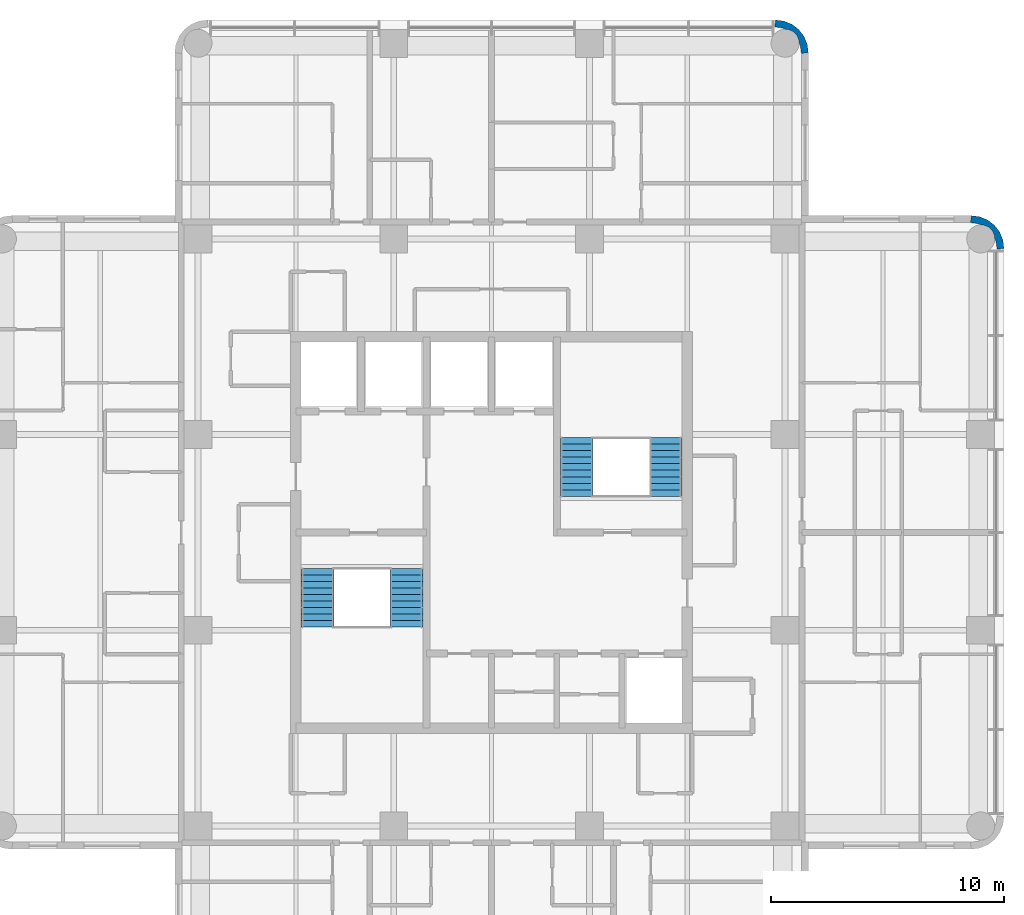
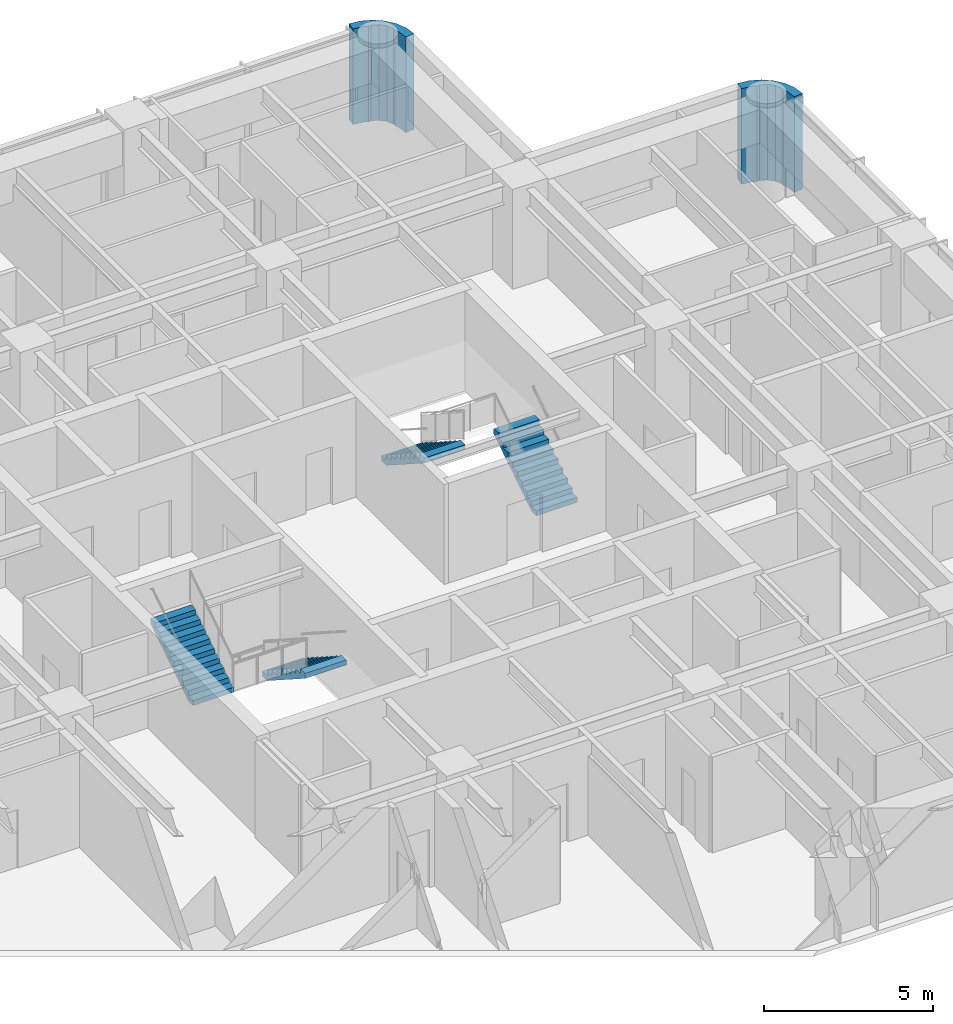
# One storey, part 9 of 10: 4 stair flights, 2 walls, 2 elements without a shape of their own.
"""IFC4 building model written with IfcOpenShell, lengths in metres."""

from ifc_helpers import new_model, si_unit, direction, frame, origin, place, context, subcontext, project, spatial, polyline, outline, extrude, material, layer, layer_set, type_object, element, aggregate, save


model = new_model("IFC4")

# Units and contexts
model_context = context("Model", 3, precision=1e-05, world=origin(), true_north=direction((0.0, 1.0)))
body_context = subcontext(model_context, "Body", "Model", "MODEL_VIEW")
ifc_project = project(units=[si_unit("LENGTHUNIT", "METRE"), si_unit("AREAUNIT", "SQUARE_METRE"), si_unit("VOLUMEUNIT", "CUBIC_METRE"), si_unit("PLANEANGLEUNIT", "RADIAN"), si_unit("MASSUNIT", "GRAM", prefix="KILO")], contexts=[model_context])

# Site, building, storey
site_placement = place(None, origin())
site = spatial("IfcSite", under=ifc_project, at=site_placement, CompositionType="ELEMENT")
building_placement = place(site_placement, origin())
building = spatial("IfcBuilding", under=site, at=building_placement, Name="Torre Alcanfor", CompositionType="ELEMENT")
storey_placement = place(building_placement, frame((0.0, 0.0, 275.699951171875)))
storey = spatial("IfcBuildingStorey", under=building, at=storey_placement, Name="L72", CompositionType="ELEMENT", Elevation=275.699951171875)

# Walls
ifc_material_1 = material(Name="Limestone cladding", Category="masonry")
ifc_layer_1 = layer(ifc_material_1, 0.0400390625, Name="Facing")
ifc_material_2 = material(Name="Ventilated air cavity")
ifc_layer_2 = layer(ifc_material_2, 0.02001953125, ventilated=True, Name="Ventilated joint")
ifc_material_3 = material(Name="Mineral wool insulation", Category="insulation")
ifc_layer_3 = layer(ifc_material_3, 0.10009765625, Name="Insulation")
ifc_material_4 = material(Name="Concrete f'c 35 MPa", Category="concrete")
ifc_layer_4 = layer(ifc_material_4, 0.139892578125, Name="Backing")
ifc_layer_set = layer_set([ifc_layer_1, ifc_layer_2, ifc_layer_3, ifc_layer_4], Name="Rounded corner pier stone-clad 300")
wall_type = type_object("IfcWallType", Name="Rounded corner pier stone-clad 300", PredefinedType="SOLIDWALL", material=ifc_layer_set)
wall_1_placement = place(storey_placement, frame((50.975898117, 41.638418254, 0.0), z_axis=(0.0, 0.0, 1.0), x_axis=(0.707106781187, 0.707106781187, 0.0)))
element("IfcWall", 1, at=wall_1_placement, inside=storey, type_object=wall_type, Name="Corner pier L72 18", PredefinedType="SOLIDWALL", context=body_context, shape_type="SweptSolid", body=[
    extrude(outline(polyline([(0.23318643990489343, 0.11416555226925765), (0.04674226908422171, -0.12890240376361806), (0.032758956272671336, -0.14288571657516844), (0.27271950945853585, -0.32691301851483145), (0.4952440800028376, -0.03706138628528721), (0.6350772081183413, 0.3006097230899294), (0.682724051772513, 0.6627947882582343), (0.6350772081183413, 1.0253251204095404), (0.4952440800028376, 1.3629962297847569), (0.27271950945853585, 1.6528478620143012), (0.032586322781170685, 1.4686479265831376), (0.04656963559272109, 1.454664613771587), (0.2330138064133928, 1.2115966577387114), (0.2922270939981062, 1.0691740272506984), (0.35800045425984317, 1.0034006669889615), (0.44949620475517277, 0.7824297978681654), (0.4493235712636722, 0.5433324121398039), (0.3578278207683425, 0.32236154301900777), (0.29222709399810615, 0.2567608162487714), (0.23318643990489343, 0.11416555226925765)])), origin(), (0.0, 0.0, 1.0), 3.449951171875),
])
wall_2_placement = place(storey_placement, frame((42.575898117, 50.038418254, 0.0), z_axis=(0.0, 0.0, 1.0), x_axis=(0.707106781187, 0.707106781187, 0.0)))
element("IfcWall", 2, at=wall_2_placement, inside=storey, type_object=wall_type, Name="Corner pier L72 19", PredefinedType="SOLIDWALL", context=body_context, shape_type="SweptSolid", body=[
    extrude(outline(polyline([(0.2330138064133928, 0.11420007896755979), (0.0465696355927211, -0.12886787706531594), (0.03258632278117072, -0.14285118987686632), (0.27271950945853585, -0.32705112530802993), (0.4952440800028376, -0.03719949307848569), (0.6350772081183413, 0.3004716162967309), (0.682724051772513, 0.663001948448037), (0.6350772081183413, 1.025187013616342), (0.4952440800028376, 1.3628581229915584), (0.27271950945853596, 1.6527097552211027), (0.032758956272671336, 1.4686824532814398), (0.046742269084221744, 1.4546991404698892), (0.23318643990489346, 1.2116311844370136), (0.2922270939981061, 1.0690359204575), (0.35782782076834246, 1.0034351936872634), (0.4493235712636722, 0.7824643245664674), (0.44949620475517277, 0.543366938838106), (0.3580004542598431, 0.3223960697173099), (0.29222709399810615, 0.2566227094555729), (0.2330138064133928, 0.11420007896755979)])), origin(), (0.0, 0.0, 1.0), 3.449951171875),
])

# Stair, stair flights
ifc_material_5 = material(Name="Concrete f'c 35 MPa", Category="concrete")
stair_type_1 = type_object("IfcStairType", Name="Exit stair S1 1400 wide", PredefinedType="HALF_TURN_STAIR", material=ifc_material_5)
stair_1_placement = place(storey_placement, origin())
stair_1 = element("IfcStair", 3, at=stair_1_placement, inside=storey, type_object=stair_type_1, Name="Stair S1 L72 to L73", PredefinedType="HALF_TURN_STAIR")
ifc_material_6 = material(Name="Concrete f'c 35 MPa", Category="concrete")
stair_flight_type = type_object("IfcStairFlightType", Name="Stair flight 1400", PredefinedType="STRAIGHT", material=ifc_material_6)
stair_flight_1_placement = place(storey_placement, frame((25.75, 27.85009765625, 0.0), z_axis=(0.0, 0.0, 1.0), x_axis=(0.0, -1.0, 0.0)))
stair_flight_1 = element("IfcStairFlight", 4, at=stair_flight_1_placement, type_object=stair_flight_type, Name="S1 flight 1", NumberOfRisers=10, NumberOfTreads=9, PredefinedType="STRAIGHT", RiserHeight=0.18, TreadLength=0.28, context=body_context, shape_type="SweptSolid", body=[
    extrude(outline(polyline([(0.0, 0.0), (0.0, 0.179931640625), (0.280029296875, 0.179931640625), (0.280029296875, 0.360107421875), (0.56005859375, 0.360107421875), (0.56005859375, 0.5400390625), (0.840087890625, 0.5400390625), (0.840087890625, 0.719970703125), (1.1201171875, 0.719970703125), (1.1201171875, 0.89990234375), (1.39990234375, 0.89990234375), (1.39990234375, 1.080078125), (1.679931640625, 1.080078125), (1.679931640625, 1.260009765625), (1.9599609375, 1.260009765625), (1.9599609375, 1.43994140625), (2.239990234375, 1.43994140625), (2.239990234375, 1.6201171875), (2.52001953125, 1.6201171875), (2.52001953125, 1.800048828125), (2.52001953125, 1.44189453125), (0.277099609375, 0.0), (0.0, 0.0)])), frame((0.0, 0.699951171875, 0.0), z_axis=(0.0, -1.0, 0.0), x_axis=(1.0, 0.0, 0.0)), (0.0, 0.0, 1.0), 1.39990234375),
])
stair_flight_2_placement = place(storey_placement, frame((21.925048828125, 25.330078125, 1.800048828125), z_axis=(0.0, 0.0, 1.0), x_axis=(0.0, 1.0, 0.0)))
stair_flight_2 = element("IfcStairFlight", 5, at=stair_flight_2_placement, type_object=stair_flight_type, Name="S1 flight 2", NumberOfRisers=10, NumberOfTreads=9, PredefinedType="STRAIGHT", RiserHeight=0.18, TreadLength=0.28, context=body_context, shape_type="SweptSolid", body=[
    extrude(outline(polyline([(0.0, 0.0), (0.0, 0.179931640625), (0.280029296875, 0.179931640625), (0.280029296875, 0.360107421875), (0.56005859375, 0.360107421875), (0.56005859375, 0.5400390625), (0.840087890625, 0.5400390625), (0.840087890625, 0.719970703125), (1.1201171875, 0.719970703125), (1.1201171875, 0.89990234375), (1.39990234375, 0.89990234375), (1.39990234375, 1.080078125), (1.679931640625, 1.080078125), (1.679931640625, 1.260009765625), (1.9599609375, 1.260009765625), (1.9599609375, 1.43994140625), (2.239990234375, 1.43994140625), (2.239990234375, 1.6201171875), (2.52001953125, 1.6201171875), (2.52001953125, 1.800048828125), (2.52001953125, 1.44189453125), (0.277099609375, 0.0), (0.0, 0.0)])), frame((0.0, 0.699951171875, 0.0), z_axis=(0.0, -1.0, 0.0), x_axis=(1.0, 0.0, 0.0)), (0.0, 0.0, 1.0), 1.39990234375),
])
aggregate(stair_1, [stair_flight_1, stair_flight_2])

ifc_material_7 = material(Name="Concrete f'c 35 MPa", Category="concrete")
stair_type_2 = type_object("IfcStairType", Name="Exit stair S2 1400 wide", PredefinedType="HALF_TURN_STAIR", material=ifc_material_7)
stair_2_placement = place(storey_placement, origin())
stair_2 = element("IfcStair", 6, at=stair_2_placement, inside=storey, type_object=stair_type_2, Name="Stair S2 L72 to L73", PredefinedType="HALF_TURN_STAIR")
stair_flight_3_placement = place(storey_placement, frame((36.875, 30.949951171875, 0.0), z_axis=(0.0, 0.0, 1.0), x_axis=(0.0, 1.0, 0.0)))
stair_flight_3 = element("IfcStairFlight", 7, at=stair_flight_3_placement, type_object=stair_flight_type, Name="S2 flight 1", NumberOfRisers=10, NumberOfTreads=9, PredefinedType="STRAIGHT", RiserHeight=0.18, TreadLength=0.28, context=body_context, shape_type="SweptSolid", body=[
    extrude(outline(polyline([(0.0, 0.0), (0.0, 0.179931640625), (0.280029296875, 0.179931640625), (0.280029296875, 0.360107421875), (0.56005859375, 0.360107421875), (0.56005859375, 0.5400390625), (0.840087890625, 0.5400390625), (0.840087890625, 0.719970703125), (1.1201171875, 0.719970703125), (1.1201171875, 0.89990234375), (1.39990234375, 0.89990234375), (1.39990234375, 1.080078125), (1.679931640625, 1.080078125), (1.679931640625, 1.260009765625), (1.9599609375, 1.260009765625), (1.9599609375, 1.43994140625), (2.239990234375, 1.43994140625), (2.239990234375, 1.6201171875), (2.52001953125, 1.6201171875), (2.52001953125, 1.800048828125), (2.52001953125, 1.44189453125), (0.277099609375, 0.0), (0.0, 0.0)])), frame((0.0, 0.699951171875, 0.0), z_axis=(0.0, -1.0, 0.0), x_axis=(1.0, 0.0, 0.0)), (0.0, 0.0, 1.0), 1.39990234375),
])
stair_flight_4_placement = place(storey_placement, frame((33.050048828125, 33.469970703125, 1.800048828125), z_axis=(0.0, 0.0, 1.0), x_axis=(0.0, -1.0, 0.0)))
stair_flight_4 = element("IfcStairFlight", 8, at=stair_flight_4_placement, type_object=stair_flight_type, Name="S2 flight 2", NumberOfRisers=10, NumberOfTreads=9, PredefinedType="STRAIGHT", RiserHeight=0.18, TreadLength=0.28, context=body_context, shape_type="SweptSolid", body=[
    extrude(outline(polyline([(0.0, 0.0), (0.0, 0.179931640625), (0.280029296875, 0.179931640625), (0.280029296875, 0.360107421875), (0.56005859375, 0.360107421875), (0.56005859375, 0.5400390625), (0.840087890625, 0.5400390625), (0.840087890625, 0.719970703125), (1.1201171875, 0.719970703125), (1.1201171875, 0.89990234375), (1.39990234375, 0.89990234375), (1.39990234375, 1.080078125), (1.679931640625, 1.080078125), (1.679931640625, 1.260009765625), (1.9599609375, 1.260009765625), (1.9599609375, 1.43994140625), (2.239990234375, 1.43994140625), (2.239990234375, 1.6201171875), (2.52001953125, 1.6201171875), (2.52001953125, 1.800048828125), (2.52001953125, 1.44189453125), (0.277099609375, 0.0), (0.0, 0.0)])), frame((0.0, 0.699951171875, 0.0), z_axis=(0.0, -1.0, 0.0), x_axis=(1.0, 0.0, 0.0)), (0.0, 0.0, 1.0), 1.39990234375),
])
aggregate(stair_2, [stair_flight_3, stair_flight_4])

save(model, "model.ifc")
